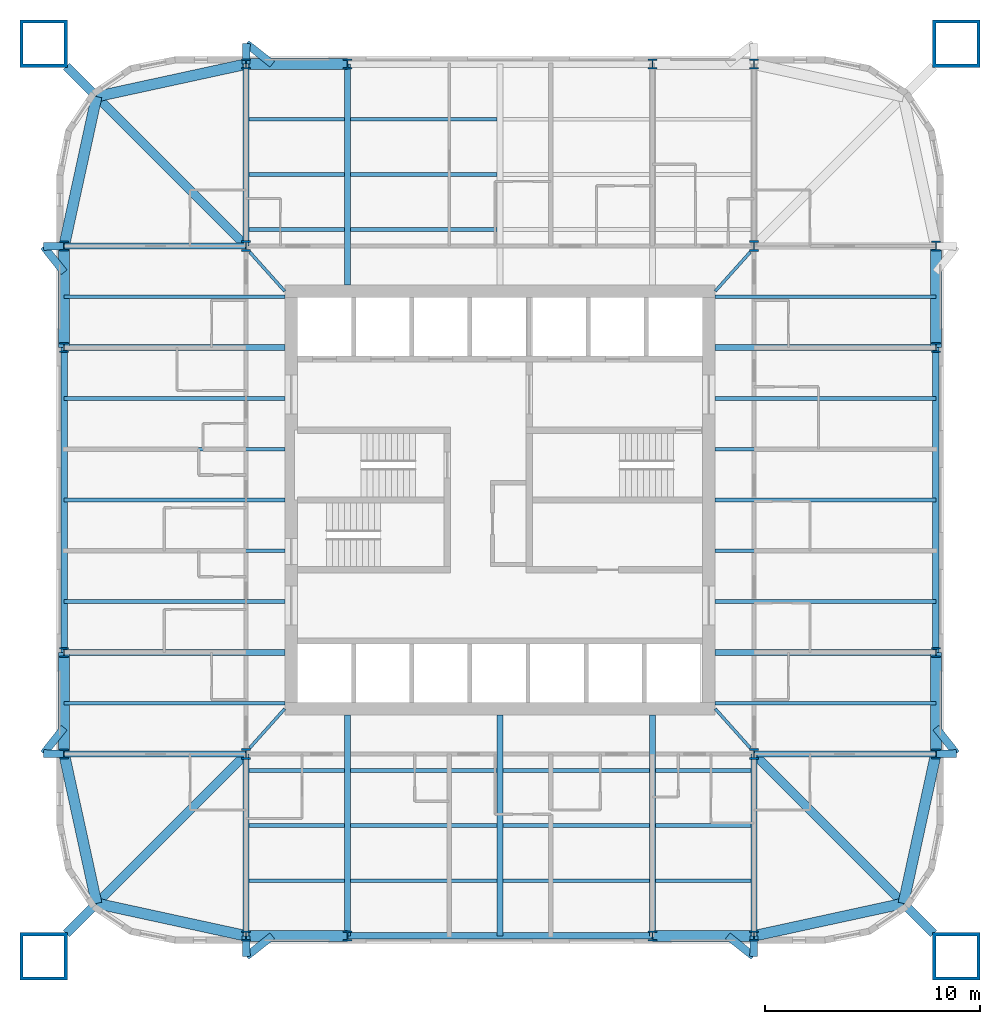
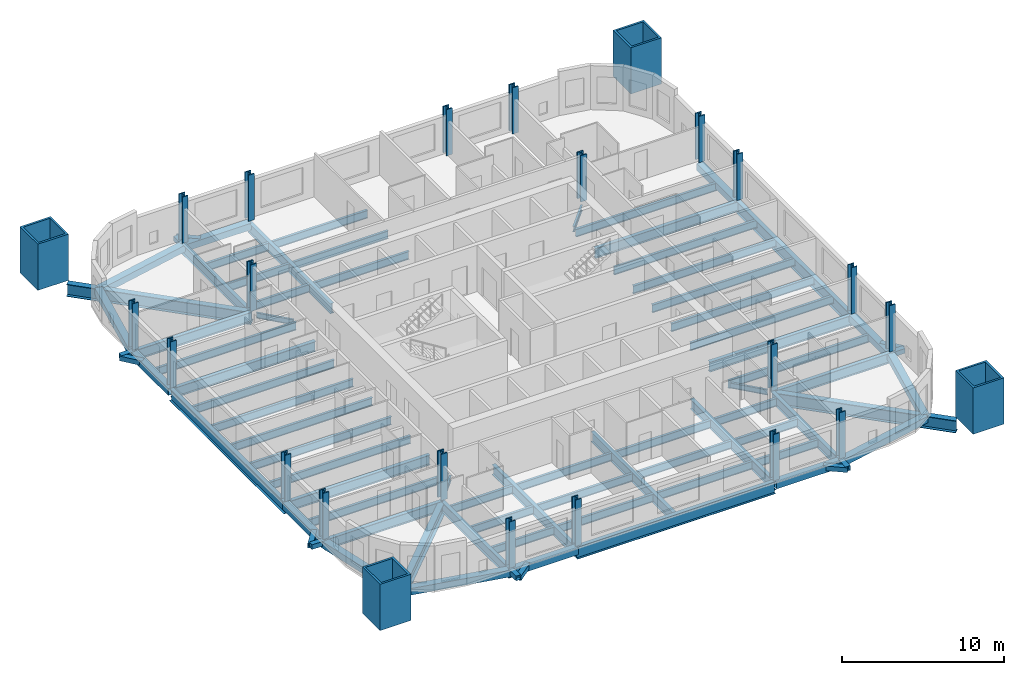
# One storey, part 1 of 9: 81 beams, 24 columns.
"""IFC4 building model written with IfcOpenShell, lengths in metres."""

from ifc_helpers import new_model, si_unit, direction, frame, origin, origin_2d, place, context, subcontext, project, spatial, hollow_rectangle, i_section, extrude, material, material_profile, profile_set, type_object, element, save


model = new_model("IFC4")

# Units and contexts
model_context = context("Model", 3, precision=1e-05, world=origin(), true_north=direction((0.0, 1.0)))
body_context = subcontext(model_context, "Body", "Model", "MODEL_VIEW")
ifc_project = project(units=[si_unit("LENGTHUNIT", "METRE"), si_unit("AREAUNIT", "SQUARE_METRE"), si_unit("VOLUMEUNIT", "CUBIC_METRE"), si_unit("PLANEANGLEUNIT", "RADIAN"), si_unit("MASSUNIT", "GRAM", prefix="KILO")], contexts=[model_context])

# Site, building, storey
site_placement = place(None, origin())
site = spatial("IfcSite", under=ifc_project, at=site_placement, CompositionType="ELEMENT")
building_placement = place(site_placement, origin())
building = spatial("IfcBuilding", under=site, at=building_placement, Name="Turquesa Mirador Hotel Tower", CompositionType="ELEMENT")
storey_placement = place(building_placement, frame((0.0, 0.0, 142.39990234375)))
storey = spatial("IfcBuildingStorey", under=building, at=storey_placement, Name="L38", CompositionType="ELEMENT", Elevation=142.39990234375)

# Columns
ifc_material_1 = material(Name="Steel ASTM A992 Grade 50", Category="steel")
ifc_material_profile_1 = material_profile(ifc_material_1, i_section(OverallWidth=0.421630859375, OverallDepth=0.46484375, WebThickness=0.044921875, FlangeThickness=0.072509765625, at=origin_2d()), Name="W14X398")
ifc_profile_set_1 = profile_set([ifc_material_profile_1], Name="Steel ASTM A992 Grade 50")
column_type_1 = type_object("IfcColumnType", Name="COLUMN W14X398", PredefinedType="COLUMN", material=ifc_profile_set_1)
for number, where, z_axis, x_axis, name in (
    (1, (34.75, 33.199951171875, 0.0), (0.0, 0.0, 1.0), (1.0, 0.0, 0.0), "COL-L38-P--20.25--11.80"),
    (2, (34.75, 37.919921875, 0.0), (0.0, 0.0, 1.0), (1.0, 0.0, 0.0), "COL-L38-P--20.25--7.08"),
    (3, (34.75, 52.080078125, 0.0), (0.0, 0.0, 1.0), (1.0, 0.0, 0.0), "COL-L38-P--20.25-+7.08"),
    (4, (34.75, 56.800048828125, 0.0), (0.0, 0.0, 1.0), (1.0, 0.0, 0.0), "COL-L38-P--20.25-+11.80"),
    (5, (43.199951171875, 24.75, 0.0), (0.0, 0.0, 1.0), (1.0, 0.0, 0.0), "COL-L38-P--11.80--20.25"),
    (6, (43.199951171875, 65.25, 0.0), (0.0, 0.0, 1.0), (1.0, 0.0, 0.0), "COL-L38-P--11.80-+20.25"),
    (7, (47.919921875, 24.75, 0.0), (0.0, 0.0, 1.0), (1.0, 0.0, 0.0), "COL-L38-P--7.08--20.25"),
    (8, (47.919921875, 65.25, 0.0), (0.0, 0.0, 1.0), (1.0, 0.0, 0.0), "COL-L38-P--7.08-+20.25"),
    (9, (62.080078125, 24.75, 0.0), (0.0, 0.0, 1.0), (1.0, 0.0, 0.0), "COL-L38-P-+7.08--20.25"),
    (10, (62.080078125, 65.25, 0.0), (0.0, 0.0, 1.0), (1.0, 0.0, 0.0), "COL-L38-P-+7.08-+20.25"),
    (11, (66.800048828125, 24.75, 0.0), (0.0, 0.0, 1.0), (1.0, 0.0, 0.0), "COL-L38-P-+11.80--20.25"),
    (12, (66.800048828125, 65.25, 0.0), (0.0, 0.0, 1.0), (1.0, 0.0, 0.0), "COL-L38-P-+11.80-+20.25"),
    (13, (75.25, 33.199951171875, 0.0), (0.0, 0.0, 1.0), (1.0, 0.0, 0.0), "COL-L38-P-+20.25--11.80"),
    (14, (75.25, 37.919921875, 0.0), (0.0, 0.0, 1.0), (1.0, 0.0, 0.0), "COL-L38-P-+20.25--7.08"),
    (15, (75.25, 52.080078125, 0.0), (0.0, 0.0, 1.0), (1.0, 0.0, 0.0), "COL-L38-P-+20.25-+7.08"),
    (16, (75.25, 56.800048828125, 0.0), (0.0, 0.0, 1.0), (1.0, 0.0, 0.0), "COL-L38-P-+20.25-+11.80"),
):
    element("IfcColumn", number, at=place(storey_placement, frame(where, z_axis=z_axis, x_axis=x_axis)), inside=storey, type_object=column_type_1, Name=name, PredefinedType="COLUMN", context=body_context, shape_type="SweptSolid", body=[
        extrude(i_section(OverallWidth=0.421630859375, OverallDepth=0.46484375, WebThickness=0.044921875, FlangeThickness=0.072509765625, at=origin_2d()), origin(), (0.0, 0.0, 1.0), 3.5),
    ])
ifc_material_2 = material(Name="Steel ASTM A992 Grade 50", Category="steel")
ifc_material_profile_2 = material_profile(ifc_material_2, i_section(OverallWidth=0.431884765625, OverallDepth=0.497802734375, WebThickness=0.0556640625, FlangeThickness=0.0888671875, at=origin_2d()), Name="W14X500")
ifc_profile_set_2 = profile_set([ifc_material_profile_2], Name="Steel ASTM A992 Grade 50")
column_type_2 = type_object("IfcColumnType", Name="COLUMN W14X500", PredefinedType="COLUMN", material=ifc_profile_set_2)
for number, where, z_axis, x_axis, name in (
    (17, (43.199951171875, 33.199951171875, 0.0), (0.0, 0.0, 1.0), (1.0, 0.0, 0.0), "COL-L38-K--11.80--11.80"),
    (18, (43.199951171875, 56.800048828125, 0.0), (0.0, 0.0, 1.0), (1.0, 0.0, 0.0), "COL-L38-K--11.80-+11.80"),
    (19, (66.800048828125, 33.199951171875, 0.0), (0.0, 0.0, 1.0), (1.0, 0.0, 0.0), "COL-L38-K-+11.80--11.80"),
    (20, (66.800048828125, 56.800048828125, 0.0), (0.0, 0.0, 1.0), (1.0, 0.0, 0.0), "COL-L38-K-+11.80-+11.80"),
):
    element("IfcColumn", number, at=place(storey_placement, frame(where, z_axis=z_axis, x_axis=x_axis)), inside=storey, type_object=column_type_2, Name=name, PredefinedType="COLUMN", context=body_context, shape_type="SweptSolid", body=[
        extrude(i_section(OverallWidth=0.431884765625, OverallDepth=0.497802734375, WebThickness=0.0556640625, FlangeThickness=0.0888671875, at=origin_2d()), origin(), (0.0, 0.0, 1.0), 3.5),
    ])
ifc_material_3 = material(Name="Steel ASTM A514 Grade Q", Category="steel")
ifc_material_profile_3 = material_profile(ifc_material_3, hollow_rectangle(XDim=2.199951171875, YDim=2.199951171875, WallThickness=0.14990234375, at=origin_2d()), Name="BOX2200X2200X150")
ifc_profile_set_3 = profile_set([ifc_material_profile_3], Name="Steel ASTM A514 Grade Q")
column_type_3 = type_object("IfcColumnType", Name="MEGA COLUMN BOX2200X2200X150", PredefinedType="COLUMN", material=ifc_profile_set_3)
for number, where, z_axis, x_axis, name in (
    (21, (76.199951171875, 66.199951171875, 0.0), (0.0, 0.0, 1.0), (1.0, 0.0, 0.0), "Mega column M1"),
    (22, (33.800048828125, 66.199951171875, 0.0), (0.0, 0.0, 1.0), (1.0, 0.0, 0.0), "Mega column M2"),
    (23, (33.800048828125, 23.800048828125, 0.0), (0.0, 0.0, 1.0), (1.0, 0.0, 0.0), "Mega column M3"),
    (24, (76.199951171875, 23.800048828125, 0.0), (0.0, 0.0, 1.0), (1.0, 0.0, 0.0), "Mega column M4"),
):
    element("IfcColumn", number, at=place(storey_placement, frame(where, z_axis=z_axis, x_axis=x_axis)), inside=storey, type_object=column_type_3, Name=name, PredefinedType="COLUMN", context=body_context, shape_type="SweptSolid", body=[
        extrude(hollow_rectangle(XDim=2.199951171875, YDim=2.199951171875, WallThickness=0.14990234375, at=origin_2d()), origin(), (0.0, 0.0, 1.0), 3.5),
    ])

# Beams
ifc_material_4 = material(Name="Steel ASTM A572 Grade 50", Category="steel")
ifc_material_profile_4 = material_profile(ifc_material_4, hollow_rectangle(XDim=0.5, YDim=0.5, WallThickness=0.01611328125, at=origin_2d()), Name="BOX500X500X16")
ifc_profile_set_4 = profile_set([ifc_material_profile_4], Name="Steel ASTM A572 Grade 50")
beam_type_1 = type_object("IfcBeamType", Name="BEAM BOX500X500X16", PredefinedType="BEAM", material=ifc_profile_set_4)
for number, where, z_axis, x_axis, name in (
    (25, (43.199951171875, 65.25, -0.419921875), (1.0, 0.0, 0.0), (0.0, 1.0, 0.0), "EB-L38-N-L"),
    (26, (43.199951171875, 24.75, -0.419921875), (1.0, 0.0, 0.0), (0.0, 1.0, 0.0), "EB-L38-S-L"),
    (27, (62.080078125, 24.75, -0.419921875), (1.0, 0.0, 0.0), (0.0, 1.0, 0.0), "EB-L38-S-R"),
    (28, (75.25, 33.199951171875, -0.419921875), (0.0, 1.0, 0.0), (-1.0, 0.0, 0.0), "EB-L38-E-L"),
    (29, (75.25, 52.080078125, -0.419921875), (0.0, 1.0, 0.0), (-1.0, 0.0, 0.0), "EB-L38-E-R"),
    (30, (34.75, 33.199951171875, -0.419921875), (0.0, 1.0, 0.0), (-1.0, 0.0, 0.0), "EB-L38-W-L"),
    (31, (34.75, 52.080078125, -0.419921875), (0.0, 1.0, 0.0), (-1.0, 0.0, 0.0), "EB-L38-W-R"),
):
    element("IfcBeam", number, at=place(storey_placement, frame(where, z_axis=z_axis, x_axis=x_axis)), inside=storey, type_object=beam_type_1, Name=name, PredefinedType="BEAM", context=body_context, shape_type="SweptSolid", body=[
        extrude(hollow_rectangle(XDim=0.5, YDim=0.5, WallThickness=0.01611328125, at=origin_2d()), origin(), (0.0, 0.0, 1.0), 4.719970703125),
    ])
for number, where, z_axis, x_axis, name in (
    (32, (34.75, 56.800048828125, -0.419921875), (0.212328336885, 0.977198381781, 0.0), (-0.977198381781, 0.212328336885, 0.0), "KE-L38-2-0"),
    (33, (36.25830078125, 63.74169921875, -0.419921875), (0.977198381781, 0.212328336885, 0.0), (-0.212328336885, 0.977198381781, 0.0), "KE-L38-2-1"),
    (34, (34.75, 33.199951171875, -0.419921875), (0.212328336885, -0.977198381781, 0.0), (0.977198381781, 0.212328336885, 0.0), "KE-L38-3-0"),
    (35, (36.25830078125, 26.25830078125, -0.419921875), (0.977198381781, -0.212328336885, 0.0), (0.212328336885, 0.977198381781, 0.0), "KE-L38-3-1"),
    (36, (75.25, 33.199951171875, -0.419921875), (-0.212328336885, -0.977198381781, 0.0), (0.977198381781, -0.212328336885, 0.0), "KE-L38-4-0"),
    (37, (73.74169921875, 26.25830078125, -0.419921875), (-0.977198381781, -0.212328336885, 0.0), (0.212328336885, -0.977198381781, 0.0), "KE-L38-4-1"),
):
    element("IfcBeam", number, at=place(storey_placement, frame(where, z_axis=z_axis, x_axis=x_axis)), inside=storey, type_object=beam_type_1, Name=name, PredefinedType="BEAM", context=body_context, shape_type="SweptSolid", body=[
        extrude(hollow_rectangle(XDim=0.5, YDim=0.5, WallThickness=0.01611328125, at=origin_2d()), origin(), (0.0, 0.0, 1.0), 7.103515625),
    ])
ifc_material_5 = material(Name="Steel ASTM A992 Grade 50", Category="steel")
ifc_material_profile_5 = material_profile(ifc_material_5, i_section(OverallWidth=0.140380859375, OverallDepth=0.40380859375, WebThickness=0.007080078125, FlangeThickness=0.01123046875, at=origin_2d()), Name="W16X31")
ifc_profile_set_5 = profile_set([ifc_material_profile_5], Name="Steel ASTM A992 Grade 50")
beam_type_2 = type_object("IfcBeamType", Name="BEAM W16X31", PredefinedType="BEAM", material=ifc_profile_set_5)
for number, where, z_axis, x_axis, name in (
    (38, (66.626953125, 56.518310546875, -0.371826171875), (-0.66679485947, -0.745241313525, 0.0), (0.745241313525, -0.66679485947, 0.0), "KT-L38-1"),
    (39, (43.373046875, 56.518310546875, -0.371826171875), (0.66679485947, -0.745241313525, 0.0), (0.745241313525, 0.66679485947, 0.0), "KT-L38-2"),
    (40, (43.373046875, 33.481689453125, -0.371826171875), (0.66679485947, 0.745241313525, 0.0), (-0.745241313525, 0.66679485947, 0.0), "KT-L38-3"),
    (41, (66.626953125, 33.481689453125, -0.371826171875), (-0.66679485947, 0.745241313525, 0.0), (-0.745241313525, -0.66679485947, 0.0), "KT-L38-4"),
):
    element("IfcBeam", number, at=place(storey_placement, frame(where, z_axis=z_axis, x_axis=x_axis)), inside=storey, type_object=beam_type_2, Name=name, PredefinedType="BEAM", context=body_context, shape_type="SweptSolid", body=[
        extrude(i_section(OverallWidth=0.140380859375, OverallDepth=0.40380859375, WebThickness=0.007080078125, FlangeThickness=0.01123046875, at=origin_2d()), origin(), (0.0, 0.0, 1.0), 2.43994140625),
    ])
ifc_material_6 = material(Name="Steel ASTM A992 Grade 50", Category="steel")
ifc_material_profile_6 = material_profile(ifc_material_6, i_section(OverallWidth=0.177978515625, OverallDepth=0.599365234375, WebThickness=0.010009765625, FlangeThickness=0.012939453125, at=origin_2d()), Name="W24X55")
ifc_profile_set_6 = profile_set([ifc_material_profile_6], Name="Steel ASTM A992 Grade 50")
beam_type_3 = type_object("IfcBeamType", Name="BEAM W24X55", PredefinedType="BEAM", material=ifc_profile_set_6)
beam_1_placement = place(storey_placement, frame((43.333251953125, 57.56201171875, -0.4697265625), z_axis=(1.0, 0.0, 0.0), x_axis=(0.0, 1.0, 0.0)))
element("IfcBeam", 42, at=beam_1_placement, inside=storey, type_object=beam_type_3, Name="IB-L38-N-1-0", PredefinedType="BEAM", context=body_context, shape_type="SweptSolid", body=[
    extrude(i_section(OverallWidth=0.177978515625, OverallDepth=0.599365234375, WebThickness=0.010009765625, FlangeThickness=0.012939453125, at=origin_2d()), origin(), (0.0, 0.0, 1.0), 4.453369140625),
])
beam_2_placement = place(storey_placement, frame((48.053466796875, 57.56201171875, -0.4697265625), z_axis=(1.0, 0.0, 0.0), x_axis=(0.0, 1.0, 0.0)))
element("IfcBeam", 43, at=beam_2_placement, inside=storey, type_object=beam_type_3, Name="IB-L38-N-1-1", PredefinedType="BEAM", context=body_context, shape_type="SweptSolid", body=[
    extrude(i_section(OverallWidth=0.177978515625, OverallDepth=0.599365234375, WebThickness=0.010009765625, FlangeThickness=0.012939453125, at=origin_2d()), origin(), (0.0, 0.0, 1.0), 6.813232421875),
])
beam_3_placement = place(storey_placement, frame((43.333251953125, 60.125, -0.4697265625), z_axis=(1.0, 0.0, 0.0), x_axis=(0.0, 1.0, 0.0)))
element("IfcBeam", 44, at=beam_3_placement, inside=storey, type_object=beam_type_3, Name="IB-L38-N-2-0", PredefinedType="BEAM", context=body_context, shape_type="SweptSolid", body=[
    extrude(i_section(OverallWidth=0.177978515625, OverallDepth=0.599365234375, WebThickness=0.010009765625, FlangeThickness=0.012939453125, at=origin_2d()), origin(), (0.0, 0.0, 1.0), 4.453369140625),
])
beam_4_placement = place(storey_placement, frame((48.053466796875, 60.125, -0.4697265625), z_axis=(1.0, 0.0, 0.0), x_axis=(0.0, 1.0, 0.0)))
element("IfcBeam", 45, at=beam_4_placement, inside=storey, type_object=beam_type_3, Name="IB-L38-N-2-1", PredefinedType="BEAM", context=body_context, shape_type="SweptSolid", body=[
    extrude(i_section(OverallWidth=0.177978515625, OverallDepth=0.599365234375, WebThickness=0.010009765625, FlangeThickness=0.012939453125, at=origin_2d()), origin(), (0.0, 0.0, 1.0), 6.813232421875),
])
beam_5_placement = place(storey_placement, frame((43.333251953125, 62.68798828125, -0.4697265625), z_axis=(1.0, 0.0, 0.0), x_axis=(0.0, 1.0, 0.0)))
element("IfcBeam", 46, at=beam_5_placement, inside=storey, type_object=beam_type_3, Name="IB-L38-N-3-0", PredefinedType="BEAM", context=body_context, shape_type="SweptSolid", body=[
    extrude(i_section(OverallWidth=0.177978515625, OverallDepth=0.599365234375, WebThickness=0.010009765625, FlangeThickness=0.012939453125, at=origin_2d()), origin(), (0.0, 0.0, 1.0), 4.453369140625),
])
beam_6_placement = place(storey_placement, frame((48.053466796875, 62.68798828125, -0.4697265625), z_axis=(1.0, 0.0, 0.0), x_axis=(0.0, 1.0, 0.0)))
element("IfcBeam", 47, at=beam_6_placement, inside=storey, type_object=beam_type_3, Name="IB-L38-N-3-1", PredefinedType="BEAM", context=body_context, shape_type="SweptSolid", body=[
    extrude(i_section(OverallWidth=0.177978515625, OverallDepth=0.599365234375, WebThickness=0.010009765625, FlangeThickness=0.012939453125, at=origin_2d()), origin(), (0.0, 0.0, 1.0), 6.813232421875),
])
beam_7_placement = place(storey_placement, frame((43.333251953125, 32.43798828125, -0.4697265625), z_axis=(1.0, 0.0, 0.0), x_axis=(0.0, 1.0, 0.0)))
element("IfcBeam", 48, at=beam_7_placement, inside=storey, type_object=beam_type_3, Name="IB-L38-S-1-0", PredefinedType="BEAM", context=body_context, shape_type="SweptSolid", body=[
    extrude(i_section(OverallWidth=0.177978515625, OverallDepth=0.599365234375, WebThickness=0.010009765625, FlangeThickness=0.012939453125, at=origin_2d()), origin(), (0.0, 0.0, 1.0), 4.453369140625),
])
for number, where, z_axis, x_axis, name in (
    (49, (48.053466796875, 32.43798828125, -0.4697265625), (1.0, 0.0, 0.0), (0.0, 1.0, 0.0), "IB-L38-S-1-1"),
    (50, (55.13330078125, 32.43798828125, -0.4697265625), (1.0, 0.0, 0.0), (0.0, 1.0, 0.0), "IB-L38-S-1-2"),
):
    element("IfcBeam", number, at=place(storey_placement, frame(where, z_axis=z_axis, x_axis=x_axis)), inside=storey, type_object=beam_type_3, Name=name, PredefinedType="BEAM", context=body_context, shape_type="SweptSolid", body=[
        extrude(i_section(OverallWidth=0.177978515625, OverallDepth=0.599365234375, WebThickness=0.010009765625, FlangeThickness=0.012939453125, at=origin_2d()), origin(), (0.0, 0.0, 1.0), 6.813232421875),
    ])
for number, where, z_axis, x_axis, name in (
    (51, (62.21337890625, 32.43798828125, -0.4697265625), (1.0, 0.0, 0.0), (0.0, 1.0, 0.0), "IB-L38-S-1-3"),
    (52, (43.333251953125, 29.875, -0.4697265625), (1.0, 0.0, 0.0), (0.0, 1.0, 0.0), "IB-L38-S-2-0"),
):
    element("IfcBeam", number, at=place(storey_placement, frame(where, z_axis=z_axis, x_axis=x_axis)), inside=storey, type_object=beam_type_3, Name=name, PredefinedType="BEAM", context=body_context, shape_type="SweptSolid", body=[
        extrude(i_section(OverallWidth=0.177978515625, OverallDepth=0.599365234375, WebThickness=0.010009765625, FlangeThickness=0.012939453125, at=origin_2d()), origin(), (0.0, 0.0, 1.0), 4.453369140625),
    ])
for number, where, z_axis, x_axis, name in (
    (53, (48.053466796875, 29.875, -0.4697265625), (1.0, 0.0, 0.0), (0.0, 1.0, 0.0), "IB-L38-S-2-1"),
    (54, (55.13330078125, 29.875, -0.4697265625), (1.0, 0.0, 0.0), (0.0, 1.0, 0.0), "IB-L38-S-2-2"),
):
    element("IfcBeam", number, at=place(storey_placement, frame(where, z_axis=z_axis, x_axis=x_axis)), inside=storey, type_object=beam_type_3, Name=name, PredefinedType="BEAM", context=body_context, shape_type="SweptSolid", body=[
        extrude(i_section(OverallWidth=0.177978515625, OverallDepth=0.599365234375, WebThickness=0.010009765625, FlangeThickness=0.012939453125, at=origin_2d()), origin(), (0.0, 0.0, 1.0), 6.813232421875),
    ])
for number, where, z_axis, x_axis, name in (
    (55, (62.21337890625, 29.875, -0.4697265625), (1.0, 0.0, 0.0), (0.0, 1.0, 0.0), "IB-L38-S-2-3"),
    (56, (43.333251953125, 27.31201171875, -0.4697265625), (1.0, 0.0, 0.0), (0.0, 1.0, 0.0), "IB-L38-S-3-0"),
):
    element("IfcBeam", number, at=place(storey_placement, frame(where, z_axis=z_axis, x_axis=x_axis)), inside=storey, type_object=beam_type_3, Name=name, PredefinedType="BEAM", context=body_context, shape_type="SweptSolid", body=[
        extrude(i_section(OverallWidth=0.177978515625, OverallDepth=0.599365234375, WebThickness=0.010009765625, FlangeThickness=0.012939453125, at=origin_2d()), origin(), (0.0, 0.0, 1.0), 4.453369140625),
    ])
for number, where, z_axis, x_axis, name in (
    (57, (48.053466796875, 27.31201171875, -0.4697265625), (1.0, 0.0, 0.0), (0.0, 1.0, 0.0), "IB-L38-S-3-1"),
    (58, (55.13330078125, 27.31201171875, -0.4697265625), (1.0, 0.0, 0.0), (0.0, 1.0, 0.0), "IB-L38-S-3-2"),
):
    element("IfcBeam", number, at=place(storey_placement, frame(where, z_axis=z_axis, x_axis=x_axis)), inside=storey, type_object=beam_type_3, Name=name, PredefinedType="BEAM", context=body_context, shape_type="SweptSolid", body=[
        extrude(i_section(OverallWidth=0.177978515625, OverallDepth=0.599365234375, WebThickness=0.010009765625, FlangeThickness=0.012939453125, at=origin_2d()), origin(), (0.0, 0.0, 1.0), 6.813232421875),
    ])
beam_8_placement = place(storey_placement, frame((62.21337890625, 27.31201171875, -0.4697265625), z_axis=(1.0, 0.0, 0.0), x_axis=(0.0, 1.0, 0.0)))
element("IfcBeam", 59, at=beam_8_placement, inside=storey, type_object=beam_type_3, Name="IB-L38-S-3-3", PredefinedType="BEAM", context=body_context, shape_type="SweptSolid", body=[
    extrude(i_section(OverallWidth=0.177978515625, OverallDepth=0.599365234375, WebThickness=0.010009765625, FlangeThickness=0.012939453125, at=origin_2d()), origin(), (0.0, 0.0, 1.0), 4.453369140625),
])
for number, where, z_axis, x_axis, name in (
    (60, (75.25, 35.56005859375, -0.4697265625), (-1.0, 0.0, 0.0), (0.0, -1.0, 0.0), "BM-L38-E--9.44"),
    (61, (75.25, 40.280029296875, -0.4697265625), (-1.0, 0.0, 0.0), (0.0, -1.0, 0.0), "BM-L38-E--4.72"),
    (62, (75.25, 42.639892578125, -0.4697265625), (-1.0, 0.0, 0.0), (0.0, -1.0, 0.0), "BM-L38-E--2.36"),
    (63, (75.25, 45.0, -0.4697265625), (-1.0, 0.0, 0.0), (0.0, -1.0, 0.0), "BM-L38-E-+0.00"),
    (64, (75.25, 47.360107421875, -0.4697265625), (-1.0, 0.0, 0.0), (0.0, -1.0, 0.0), "BM-L38-E-+2.36"),
    (65, (75.25, 49.719970703125, -0.4697265625), (-1.0, 0.0, 0.0), (0.0, -1.0, 0.0), "BM-L38-E-+4.72"),
    (66, (75.25, 54.43994140625, -0.4697265625), (-1.0, 0.0, 0.0), (0.0, -1.0, 0.0), "BM-L38-E-+9.44"),
    (67, (34.75, 35.56005859375, -0.4697265625), (1.0, 0.0, 0.0), (0.0, 1.0, 0.0), "BM-L38-W--9.44"),
    (68, (34.75, 40.280029296875, -0.4697265625), (1.0, 0.0, 0.0), (0.0, 1.0, 0.0), "BM-L38-W--4.72"),
    (69, (34.75, 42.639892578125, -0.4697265625), (1.0, 0.0, 0.0), (0.0, 1.0, 0.0), "BM-L38-W--2.36"),
    (70, (34.75, 45.0, -0.4697265625), (1.0, 0.0, 0.0), (0.0, 1.0, 0.0), "BM-L38-W-+0.00"),
    (71, (34.75, 47.360107421875, -0.4697265625), (1.0, 0.0, 0.0), (0.0, 1.0, 0.0), "BM-L38-W-+2.36"),
    (72, (34.75, 49.719970703125, -0.4697265625), (1.0, 0.0, 0.0), (0.0, 1.0, 0.0), "BM-L38-W-+4.72"),
    (73, (34.75, 54.43994140625, -0.4697265625), (1.0, 0.0, 0.0), (0.0, 1.0, 0.0), "BM-L38-W-+9.44"),
):
    element("IfcBeam", number, at=place(storey_placement, frame(where, z_axis=z_axis, x_axis=x_axis)), inside=storey, type_object=beam_type_3, Name=name, PredefinedType="BEAM", context=body_context, shape_type="SweptSolid", body=[
        extrude(i_section(OverallWidth=0.177978515625, OverallDepth=0.599365234375, WebThickness=0.010009765625, FlangeThickness=0.012939453125, at=origin_2d()), origin(), (0.0, 0.0, 1.0), 10.25),
    ])
ifc_material_7 = material(Name="Steel ASTM A992 Grade 50", Category="steel")
ifc_material_profile_7 = material_profile(ifc_material_7, i_section(OverallWidth=0.2666015625, OverallDepth=0.7568359375, WebThickness=0.013916015625, FlangeThickness=0.019287109375, at=origin_2d()), Name="W30X108")
ifc_profile_set_7 = profile_set([ifc_material_profile_7], Name="Steel ASTM A992 Grade 50")
beam_type_4 = type_object("IfcBeamType", Name="BEAM W30X108", PredefinedType="BEAM", material=ifc_profile_set_7)
beam_9_placement = place(storey_placement, frame((47.919921875, 65.25, -0.54833984375), z_axis=(0.0, -1.0, 0.0), x_axis=(1.0, 0.0, 0.0)))
element("IfcBeam", 74, at=beam_9_placement, inside=storey, type_object=beam_type_4, Name="GD-L38-N--7.08", PredefinedType="BEAM", context=body_context, shape_type="SweptSolid", body=[
    extrude(i_section(OverallWidth=0.2666015625, OverallDepth=0.7568359375, WebThickness=0.013916015625, FlangeThickness=0.019287109375, at=origin_2d()), origin(), (0.0, 0.0, 1.0), 10.25),
])
beam_10_placement = place(storey_placement, frame((43.199951171875, 65.25, -0.54833984375), z_axis=(0.0, -1.0, 0.0), x_axis=(1.0, 0.0, 0.0)))
element("IfcBeam", 75, at=beam_10_placement, inside=storey, type_object=beam_type_4, Name="GK-L38-N--11.80", PredefinedType="BEAM", context=body_context, shape_type="SweptSolid", body=[
    extrude(i_section(OverallWidth=0.2666015625, OverallDepth=0.7568359375, WebThickness=0.013916015625, FlangeThickness=0.019287109375, at=origin_2d()), origin(), (0.0, 0.0, 1.0), 8.449951171875),
])
for number, where, z_axis, x_axis, name in (
    (76, (47.919921875, 24.75, -0.54833984375), (0.0, 1.0, 0.0), (-1.0, 0.0, 0.0), "GD-L38-S--7.08"),
    (77, (62.080078125, 24.75, -0.54833984375), (0.0, 1.0, 0.0), (-1.0, 0.0, 0.0), "GD-L38-S-+7.08"),
    (78, (55.0, 24.75, -0.54833984375), (0.0, 1.0, 0.0), (-1.0, 0.0, 0.0), "GD-L38-S-+0.00"),
):
    element("IfcBeam", number, at=place(storey_placement, frame(where, z_axis=z_axis, x_axis=x_axis)), inside=storey, type_object=beam_type_4, Name=name, PredefinedType="BEAM", context=body_context, shape_type="SweptSolid", body=[
        extrude(i_section(OverallWidth=0.2666015625, OverallDepth=0.7568359375, WebThickness=0.013916015625, FlangeThickness=0.019287109375, at=origin_2d()), origin(), (0.0, 0.0, 1.0), 10.25),
    ])
for number, where, z_axis, x_axis, name in (
    (79, (43.199951171875, 24.75, -0.54833984375), (0.0, 1.0, 0.0), (-1.0, 0.0, 0.0), "GK-L38-S--11.80"),
    (80, (66.800048828125, 24.75, -0.54833984375), (0.0, 1.0, 0.0), (-1.0, 0.0, 0.0), "GK-L38-S-+11.80"),
):
    element("IfcBeam", number, at=place(storey_placement, frame(where, z_axis=z_axis, x_axis=x_axis)), inside=storey, type_object=beam_type_4, Name=name, PredefinedType="BEAM", context=body_context, shape_type="SweptSolid", body=[
        extrude(i_section(OverallWidth=0.2666015625, OverallDepth=0.7568359375, WebThickness=0.013916015625, FlangeThickness=0.019287109375, at=origin_2d()), origin(), (0.0, 0.0, 1.0), 8.449951171875),
    ])
for number, where, z_axis, x_axis, name in (
    (81, (75.25, 37.919921875, -0.54833984375), (-1.0, 0.0, 0.0), (0.0, -1.0, 0.0), "GD-L38-E--7.08"),
    (82, (75.25, 52.080078125, -0.54833984375), (-1.0, 0.0, 0.0), (0.0, -1.0, 0.0), "GD-L38-E-+7.08"),
):
    element("IfcBeam", number, at=place(storey_placement, frame(where, z_axis=z_axis, x_axis=x_axis)), inside=storey, type_object=beam_type_4, Name=name, PredefinedType="BEAM", context=body_context, shape_type="SweptSolid", body=[
        extrude(i_section(OverallWidth=0.2666015625, OverallDepth=0.7568359375, WebThickness=0.013916015625, FlangeThickness=0.019287109375, at=origin_2d()), origin(), (0.0, 0.0, 1.0), 10.25),
    ])
beam_11_placement = place(storey_placement, frame((75.25, 33.199951171875, -0.54833984375), z_axis=(-1.0, 0.0, 0.0), x_axis=(0.0, -1.0, 0.0)))
element("IfcBeam", 83, at=beam_11_placement, inside=storey, type_object=beam_type_4, Name="GK-L38-E--11.80", PredefinedType="BEAM", context=body_context, shape_type="SweptSolid", body=[
    extrude(i_section(OverallWidth=0.2666015625, OverallDepth=0.7568359375, WebThickness=0.013916015625, FlangeThickness=0.019287109375, at=origin_2d()), origin(), (0.0, 0.0, 1.0), 8.449951171875),
])
for number, where, z_axis, x_axis, name in (
    (84, (34.75, 37.919921875, -0.54833984375), (1.0, 0.0, 0.0), (0.0, 1.0, 0.0), "GD-L38-W--7.08"),
    (85, (34.75, 52.080078125, -0.54833984375), (1.0, 0.0, 0.0), (0.0, 1.0, 0.0), "GD-L38-W-+7.08"),
):
    element("IfcBeam", number, at=place(storey_placement, frame(where, z_axis=z_axis, x_axis=x_axis)), inside=storey, type_object=beam_type_4, Name=name, PredefinedType="BEAM", context=body_context, shape_type="SweptSolid", body=[
        extrude(i_section(OverallWidth=0.2666015625, OverallDepth=0.7568359375, WebThickness=0.013916015625, FlangeThickness=0.019287109375, at=origin_2d()), origin(), (0.0, 0.0, 1.0), 10.25),
    ])
for number, where, z_axis, x_axis, name in (
    (86, (34.75, 33.199951171875, -0.54833984375), (1.0, 0.0, 0.0), (0.0, 1.0, 0.0), "GK-L38-W--11.80"),
    (87, (34.75, 56.800048828125, -0.54833984375), (1.0, 0.0, 0.0), (0.0, 1.0, 0.0), "GK-L38-W-+11.80"),
):
    element("IfcBeam", number, at=place(storey_placement, frame(where, z_axis=z_axis, x_axis=x_axis)), inside=storey, type_object=beam_type_4, Name=name, PredefinedType="BEAM", context=body_context, shape_type="SweptSolid", body=[
        extrude(i_section(OverallWidth=0.2666015625, OverallDepth=0.7568359375, WebThickness=0.013916015625, FlangeThickness=0.019287109375, at=origin_2d()), origin(), (0.0, 0.0, 1.0), 8.449951171875),
    ])
ifc_material_8 = material(Name="Steel ASTM A992 Grade 50", Category="steel")
ifc_material_profile_8 = material_profile(ifc_material_8, i_section(OverallWidth=0.3046875, OverallDepth=0.911865234375, WebThickness=0.015869140625, FlangeThickness=0.02392578125, at=origin_2d()), Name="W36X150")
ifc_profile_set_8 = profile_set([ifc_material_profile_8], Name="Steel ASTM A992 Grade 50")
beam_type_5 = type_object("IfcBeamType", Name="BEAM W36X150", PredefinedType="BEAM", material=ifc_profile_set_8)
for number, where, z_axis, x_axis, name in (
    (88, (47.919921875, 24.75, -0.625732421875), (1.0, 0.0, 0.0), (0.0, 1.0, 0.0), "EB-L38-S-C"),
    (89, (75.25, 37.919921875, -0.625732421875), (0.0, 1.0, 0.0), (-1.0, 0.0, 0.0), "EB-L38-E-C"),
    (90, (34.75, 37.919921875, -0.625732421875), (0.0, 1.0, 0.0), (-1.0, 0.0, 0.0), "EB-L38-W-C"),
):
    element("IfcBeam", number, at=place(storey_placement, frame(where, z_axis=z_axis, x_axis=x_axis)), inside=storey, type_object=beam_type_5, Name=name, PredefinedType="BEAM", context=body_context, shape_type="SweptSolid", body=[
        extrude(i_section(OverallWidth=0.3046875, OverallDepth=0.911865234375, WebThickness=0.015869140625, FlangeThickness=0.02392578125, at=origin_2d()), origin(), (0.0, 0.0, 1.0), 14.16015625),
    ])
ifc_material_9 = material(Name="Steel ASTM A992 Grade 50", Category="steel")
ifc_material_profile_9 = material_profile(ifc_material_9, i_section(OverallWidth=0.419189453125, OverallDepth=0.927001953125, WebThickness=0.019287109375, FlangeThickness=0.031982421875, at=origin_2d()), Name="W36X231")
ifc_profile_set_9 = profile_set([ifc_material_profile_9], Name="Steel ASTM A992 Grade 50")
beam_type_6 = type_object("IfcBeamType", Name="BEAM W36X231", PredefinedType="BEAM", material=ifc_profile_set_9)
for number, where, z_axis, x_axis, name in (
    (91, (43.199951171875, 56.800048828125, -0.633544921875), (-0.707106781187, 0.707106781187, 0.0), (-0.707106781187, -0.707106781187, 0.0), "KD-L38-2"),
    (92, (43.199951171875, 33.199951171875, -0.633544921875), (-0.707106781187, -0.707106781187, 0.0), (0.707106781187, -0.707106781187, 0.0), "KD-L38-3"),
    (93, (66.800048828125, 33.199951171875, -0.633544921875), (0.707106781187, -0.707106781187, 0.0), (0.707106781187, 0.707106781187, 0.0), "KD-L38-4"),
):
    element("IfcBeam", number, at=place(storey_placement, frame(where, z_axis=z_axis, x_axis=x_axis)), inside=storey, type_object=beam_type_6, Name=name, PredefinedType="BEAM", context=body_context, shape_type="SweptSolid", body=[
        extrude(i_section(OverallWidth=0.419189453125, OverallDepth=0.927001953125, WebThickness=0.019287109375, FlangeThickness=0.031982421875, at=origin_2d()), origin(), (0.0, 0.0, 1.0), 11.80859375),
    ])
ifc_material_10 = material(Name="Steel ASTM A500 Grade C", Category="steel")
ifc_material_profile_10 = material_profile(ifc_material_10, hollow_rectangle(XDim=0.355712890625, YDim=0.355712890625, WallThickness=0.0146484375, at=origin_2d()), Name="HSS14X14X5/8")
ifc_profile_set_10 = profile_set([ifc_material_profile_10], Name="Steel ASTM A500 Grade C")
beam_type_7 = type_object("IfcBeamType", Name="BRACE STRUT HSS14X14X5/8", PredefinedType="BEAM", material=ifc_profile_set_10)
beam_12_placement = place(storey_placement, frame((43.22216796875, 66.199951171875, -0.34765625), z_axis=(-0.023380910628, -0.999726629143, 0.0), x_axis=(0.999726629143, -0.023380910628, 0.0)))
element("IfcBeam", 94, at=beam_12_placement, inside=storey, type_object=beam_type_7, Name="Brace strut", PredefinedType="BEAM", context=body_context, shape_type="SweptSolid", body=[
    extrude(hollow_rectangle(XDim=0.355712890625, YDim=0.355712890625, WallThickness=0.0146484375, at=origin_2d()), origin(), (0.0, 0.0, 1.0), 0.9501953125),
])
for number, where, z_axis, x_axis, name in (
    (95, (43.22216796875, 66.199951171875, -0.34765625), (0.784049059149, -0.620698858423, 0.0), (0.620698858423, 0.784049059149, 0.0), "Brace strut"),
    (96, (66.77783203125, 23.800048828125, -0.34765625), (-0.784049059149, 0.620698858423, 0.0), (-0.620698858423, -0.784049059149, 0.0), "Brace strut"),
):
    element("IfcBeam", number, at=place(storey_placement, frame(where, z_axis=z_axis, x_axis=x_axis)), inside=storey, type_object=beam_type_7, Name=name, PredefinedType="BEAM", context=body_context, shape_type="SweptSolid", body=[
        extrude(hollow_rectangle(XDim=0.355712890625, YDim=0.355712890625, WallThickness=0.0146484375, at=origin_2d()), origin(), (0.0, 0.0, 1.0), 1.530517578125),
    ])
for number, where, z_axis, x_axis, name in (
    (97, (66.77783203125, 23.800048828125, -0.34765625), (0.023380910628, 0.999726629143, 0.0), (-0.999726629143, 0.023380910628, 0.0), "Brace strut"),
    (98, (43.22216796875, 23.800048828125, -0.34765625), (-0.023380910628, 0.999726629143, 0.0), (-0.999726629143, -0.023380910628, 0.0), "Brace strut"),
):
    element("IfcBeam", number, at=place(storey_placement, frame(where, z_axis=z_axis, x_axis=x_axis)), inside=storey, type_object=beam_type_7, Name=name, PredefinedType="BEAM", context=body_context, shape_type="SweptSolid", body=[
        extrude(hollow_rectangle(XDim=0.355712890625, YDim=0.355712890625, WallThickness=0.0146484375, at=origin_2d()), origin(), (0.0, 0.0, 1.0), 0.9501953125),
    ])
beam_13_placement = place(storey_placement, frame((43.22216796875, 23.800048828125, -0.34765625), z_axis=(0.784049059149, 0.620698858423, 0.0), x_axis=(-0.620698858423, 0.784049059149, 0.0)))
element("IfcBeam", 99, at=beam_13_placement, inside=storey, type_object=beam_type_7, Name="Brace strut", PredefinedType="BEAM", context=body_context, shape_type="SweptSolid", body=[
    extrude(hollow_rectangle(XDim=0.355712890625, YDim=0.355712890625, WallThickness=0.0146484375, at=origin_2d()), origin(), (0.0, 0.0, 1.0), 1.530517578125),
])
beam_14_placement = place(storey_placement, frame((76.199951171875, 33.22216796875, -0.34765625), z_axis=(-0.999726629143, -0.023380910628, 0.0), x_axis=(0.023380910628, -0.999726629143, 0.0)))
element("IfcBeam", 100, at=beam_14_placement, inside=storey, type_object=beam_type_7, Name="Brace strut", PredefinedType="BEAM", context=body_context, shape_type="SweptSolid", body=[
    extrude(hollow_rectangle(XDim=0.355712890625, YDim=0.355712890625, WallThickness=0.0146484375, at=origin_2d()), origin(), (0.0, 0.0, 1.0), 0.9501953125),
])
for number, where, z_axis, x_axis, name in (
    (101, (76.199951171875, 33.22216796875, -0.34765625), (-0.620698858423, 0.784049059149, 0.0), (-0.784049059149, -0.620698858423, 0.0), "Brace strut"),
    (102, (33.800048828125, 56.77783203125, -0.34765625), (0.620698858423, -0.784049059149, 0.0), (0.784049059149, 0.620698858423, 0.0), "Brace strut"),
):
    element("IfcBeam", number, at=place(storey_placement, frame(where, z_axis=z_axis, x_axis=x_axis)), inside=storey, type_object=beam_type_7, Name=name, PredefinedType="BEAM", context=body_context, shape_type="SweptSolid", body=[
        extrude(hollow_rectangle(XDim=0.355712890625, YDim=0.355712890625, WallThickness=0.0146484375, at=origin_2d()), origin(), (0.0, 0.0, 1.0), 1.530517578125),
    ])
for number, where, z_axis, x_axis, name in (
    (103, (33.800048828125, 56.77783203125, -0.34765625), (0.999726629143, 0.023380910628, 0.0), (-0.023380910628, 0.999726629143, 0.0), "Brace strut"),
    (104, (33.800048828125, 33.22216796875, -0.34765625), (0.999726629143, -0.023380910628, 0.0), (0.023380910628, 0.999726629143, 0.0), "Brace strut"),
):
    element("IfcBeam", number, at=place(storey_placement, frame(where, z_axis=z_axis, x_axis=x_axis)), inside=storey, type_object=beam_type_7, Name=name, PredefinedType="BEAM", context=body_context, shape_type="SweptSolid", body=[
        extrude(hollow_rectangle(XDim=0.355712890625, YDim=0.355712890625, WallThickness=0.0146484375, at=origin_2d()), origin(), (0.0, 0.0, 1.0), 0.9501953125),
    ])
beam_15_placement = place(storey_placement, frame((33.800048828125, 33.22216796875, -0.34765625), z_axis=(0.620698858423, 0.784049059149, 0.0), x_axis=(-0.784049059149, 0.620698858423, 0.0)))
element("IfcBeam", 105, at=beam_15_placement, inside=storey, type_object=beam_type_7, Name="Brace strut", PredefinedType="BEAM", context=body_context, shape_type="SweptSolid", body=[
    extrude(hollow_rectangle(XDim=0.355712890625, YDim=0.355712890625, WallThickness=0.0146484375, at=origin_2d()), origin(), (0.0, 0.0, 1.0), 1.530517578125),
])

save(model, "model.ifc")
